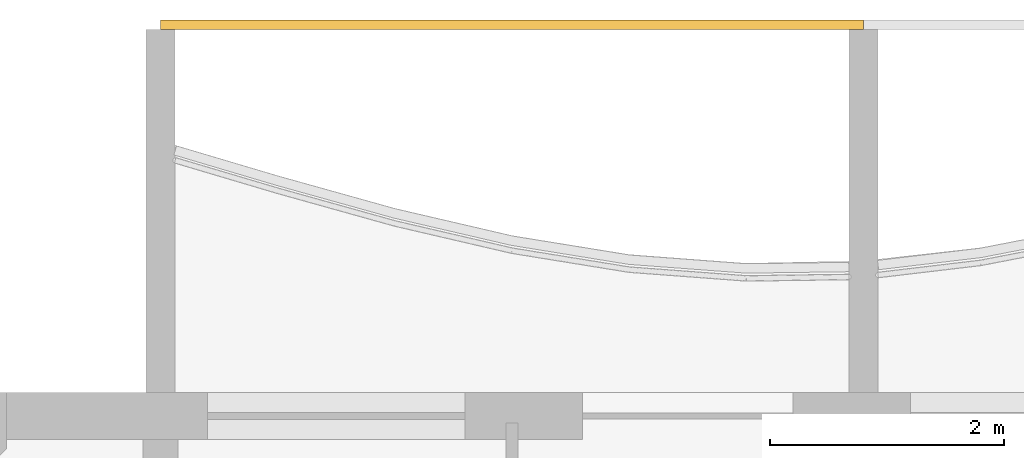
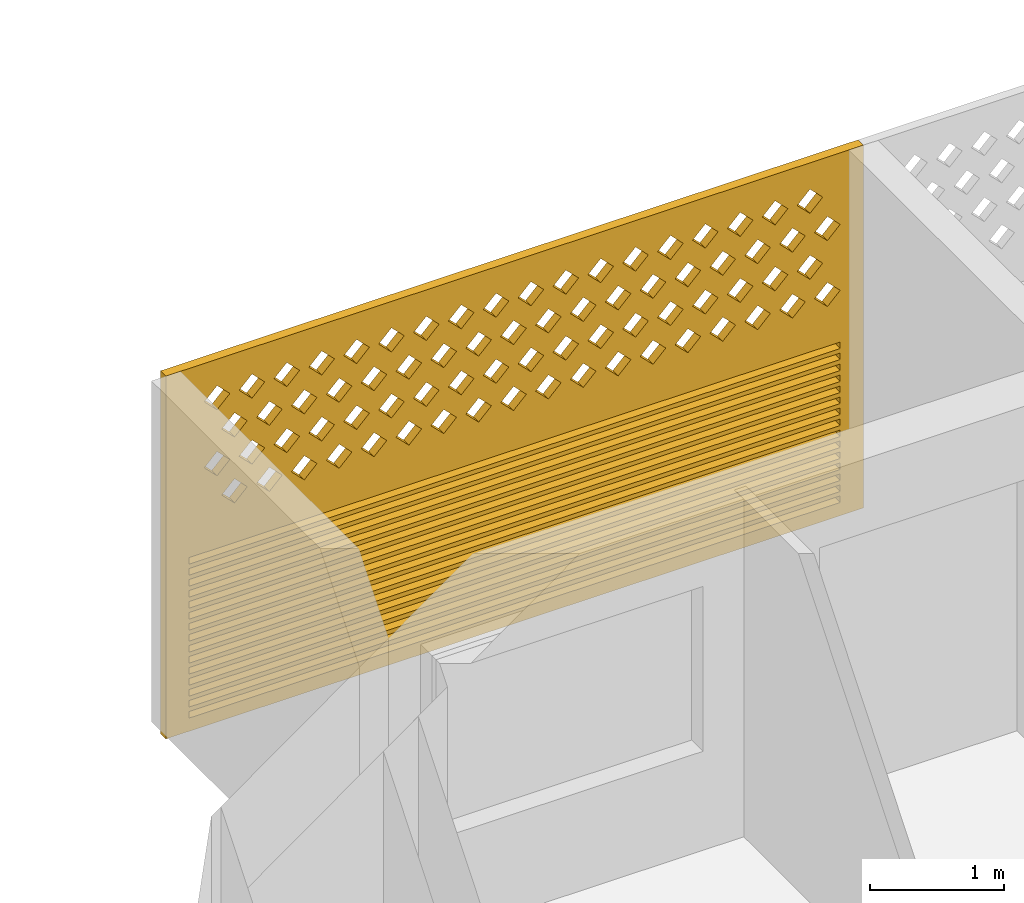
# One storey, part 17 of 31: 1 covering.
"""IFC4 building model written with IfcOpenShell, lengths in metres."""

from ifc_helpers import new_model, si_unit, direction, frame, origin, place, context, subcontext, project, spatial, polyline, outline, extrude, source, transform, mapped, material, material_profile, profile_set, type_object, element, save


model = new_model("IFC4")

# Units and contexts
model_context = context("Model", 3, precision=1e-05, world=origin(), true_north=direction((0.0, 1.0)))
body_context = subcontext(model_context, "Body", "Model", "MODEL_VIEW")
ifc_project = project(units=[si_unit("LENGTHUNIT", "METRE"), si_unit("AREAUNIT", "SQUARE_METRE"), si_unit("VOLUMEUNIT", "CUBIC_METRE"), si_unit("PLANEANGLEUNIT", "RADIAN"), si_unit("MASSUNIT", "GRAM", prefix="KILO")], contexts=[model_context])

# Site, building, storey
site_placement = place(None, origin())
site = spatial("IfcSite", under=ifc_project, at=site_placement, CompositionType="ELEMENT")
building_placement = place(site_placement, origin())
building = spatial("IfcBuilding", under=site, at=building_placement, Name="Poui Terraces", CompositionType="ELEMENT")
storey_placement = place(building_placement, frame((0.0, 0.0, 148.800048828125)))
storey = spatial("IfcBuildingStorey", under=building, at=storey_placement, Name="L41", CompositionType="ELEMENT", Elevation=148.800048828125)

# Covering
ifc_material = material(Name="Terracotta screen", Category="masonry")
ifc_material_profile = material_profile(ifc_material, outline(polyline([(-3.0, -1.64990234375), (3.0, -1.64990234375), (3.0, 1.64990234375), (-3.0, 1.64990234375), (-3.0, -1.64990234375)]), holes=[polyline([(-2.800048828125, 0.39990234375), (-2.68994140625, 0.2900390625), (-2.580078125, 0.39990234375), (-2.68994140625, 0.510009765625), (-2.800048828125, 0.39990234375)]), polyline([(-2.5, 0.39990234375), (-2.389892578125, 0.2900390625), (-2.280029296875, 0.39990234375), (-2.389892578125, 0.510009765625), (-2.5, 0.39990234375)]), polyline([(-2.199951171875, 0.39990234375), (-2.090087890625, 0.2900390625), (-1.97998046875, 0.39990234375), (-2.090087890625, 0.510009765625), (-2.199951171875, 0.39990234375)]), polyline([(-1.89990234375, 0.39990234375), (-1.7900390625, 0.2900390625), (-1.679931640625, 0.39990234375), (-1.7900390625, 0.510009765625), (-1.89990234375, 0.39990234375)]), polyline([(-1.60009765625, 0.39990234375), (-1.489990234375, 0.2900390625), (-1.3798828125, 0.39990234375), (-1.489990234375, 0.510009765625), (-1.60009765625, 0.39990234375)]), polyline([(-1.300048828125, 0.39990234375), (-1.18994140625, 0.2900390625), (-1.080078125, 0.39990234375), (-1.18994140625, 0.510009765625), (-1.300048828125, 0.39990234375)]), polyline([(-1.0, 0.39990234375), (-0.889892578125, 0.2900390625), (-0.780029296875, 0.39990234375), (-0.889892578125, 0.510009765625), (-1.0, 0.39990234375)]), polyline([(-0.699951171875, 0.39990234375), (-0.590087890625, 0.2900390625), (-0.47998046875, 0.39990234375), (-0.590087890625, 0.510009765625), (-0.699951171875, 0.39990234375)]), polyline([(-0.39990234375, 0.39990234375), (-0.2900390625, 0.2900390625), (-0.179931640625, 0.39990234375), (-0.2900390625, 0.510009765625), (-0.39990234375, 0.39990234375)]), polyline([(-0.10009765625, 0.39990234375), (0.010009765625, 0.2900390625), (0.1201171875, 0.39990234375), (0.010009765625, 0.510009765625), (-0.10009765625, 0.39990234375)]), polyline([(0.199951171875, 0.39990234375), (0.31005859375, 0.2900390625), (0.419921875, 0.39990234375), (0.31005859375, 0.510009765625), (0.199951171875, 0.39990234375)]), polyline([(0.5, 0.39990234375), (0.610107421875, 0.2900390625), (0.719970703125, 0.39990234375), (0.610107421875, 0.510009765625), (0.5, 0.39990234375)]), polyline([(0.800048828125, 0.39990234375), (0.909912109375, 0.2900390625), (1.02001953125, 0.39990234375), (0.909912109375, 0.510009765625), (0.800048828125, 0.39990234375)]), polyline([(1.10009765625, 0.39990234375), (1.2099609375, 0.2900390625), (1.320068359375, 0.39990234375), (1.2099609375, 0.510009765625), (1.10009765625, 0.39990234375)]), polyline([(1.39990234375, 0.39990234375), (1.510009765625, 0.2900390625), (1.6201171875, 0.39990234375), (1.510009765625, 0.510009765625), (1.39990234375, 0.39990234375)]), polyline([(1.699951171875, 0.39990234375), (1.81005859375, 0.2900390625), (1.919921875, 0.39990234375), (1.81005859375, 0.510009765625), (1.699951171875, 0.39990234375)]), polyline([(2.0, 0.39990234375), (2.110107421875, 0.2900390625), (2.219970703125, 0.39990234375), (2.110107421875, 0.510009765625), (2.0, 0.39990234375)]), polyline([(2.300048828125, 0.39990234375), (2.409912109375, 0.2900390625), (2.52001953125, 0.39990234375), (2.409912109375, 0.510009765625), (2.300048828125, 0.39990234375)]), polyline([(-2.64990234375, 0.699951171875), (-2.5400390625, 0.590087890625), (-2.429931640625, 0.699951171875), (-2.5400390625, 0.81005859375), (-2.64990234375, 0.699951171875)]), polyline([(-2.35009765625, 0.699951171875), (-2.239990234375, 0.590087890625), (-2.1298828125, 0.699951171875), (-2.239990234375, 0.81005859375), (-2.35009765625, 0.699951171875)]), polyline([(-2.050048828125, 0.699951171875), (-1.93994140625, 0.590087890625), (-1.830078125, 0.699951171875), (-1.93994140625, 0.81005859375), (-2.050048828125, 0.699951171875)]), polyline([(-1.75, 0.699951171875), (-1.639892578125, 0.590087890625), (-1.530029296875, 0.699951171875), (-1.639892578125, 0.81005859375), (-1.75, 0.699951171875)]), polyline([(-1.449951171875, 0.699951171875), (-1.340087890625, 0.590087890625), (-1.22998046875, 0.699951171875), (-1.340087890625, 0.81005859375), (-1.449951171875, 0.699951171875)]), polyline([(-1.14990234375, 0.699951171875), (-1.0400390625, 0.590087890625), (-0.929931640625, 0.699951171875), (-1.0400390625, 0.81005859375), (-1.14990234375, 0.699951171875)]), polyline([(-0.85009765625, 0.699951171875), (-0.739990234375, 0.590087890625), (-0.6298828125, 0.699951171875), (-0.739990234375, 0.81005859375), (-0.85009765625, 0.699951171875)]), polyline([(-0.550048828125, 0.699951171875), (-0.43994140625, 0.590087890625), (-0.330078125, 0.699951171875), (-0.43994140625, 0.81005859375), (-0.550048828125, 0.699951171875)]), polyline([(-0.25, 0.699951171875), (-0.139892578125, 0.590087890625), (-0.030029296875, 0.699951171875), (-0.139892578125, 0.81005859375), (-0.25, 0.699951171875)]), polyline([(0.050048828125, 0.699951171875), (0.159912109375, 0.590087890625), (0.27001953125, 0.699951171875), (0.159912109375, 0.81005859375), (0.050048828125, 0.699951171875)]), polyline([(0.35009765625, 0.699951171875), (0.4599609375, 0.590087890625), (0.570068359375, 0.699951171875), (0.4599609375, 0.81005859375), (0.35009765625, 0.699951171875)]), polyline([(0.64990234375, 0.699951171875), (0.760009765625, 0.590087890625), (0.8701171875, 0.699951171875), (0.760009765625, 0.81005859375), (0.64990234375, 0.699951171875)]), polyline([(0.949951171875, 0.699951171875), (1.06005859375, 0.590087890625), (1.169921875, 0.699951171875), (1.06005859375, 0.81005859375), (0.949951171875, 0.699951171875)]), polyline([(1.25, 0.699951171875), (1.360107421875, 0.590087890625), (1.469970703125, 0.699951171875), (1.360107421875, 0.81005859375), (1.25, 0.699951171875)]), polyline([(1.550048828125, 0.699951171875), (1.659912109375, 0.590087890625), (1.77001953125, 0.699951171875), (1.659912109375, 0.81005859375), (1.550048828125, 0.699951171875)]), polyline([(1.85009765625, 0.699951171875), (1.9599609375, 0.590087890625), (2.070068359375, 0.699951171875), (1.9599609375, 0.81005859375), (1.85009765625, 0.699951171875)]), polyline([(2.14990234375, 0.699951171875), (2.260009765625, 0.590087890625), (2.3701171875, 0.699951171875), (2.260009765625, 0.81005859375), (2.14990234375, 0.699951171875)]), polyline([(2.449951171875, 0.699951171875), (2.56005859375, 0.590087890625), (2.669921875, 0.699951171875), (2.56005859375, 0.81005859375), (2.449951171875, 0.699951171875)]), polyline([(-2.800048828125, 1.0), (-2.68994140625, 0.889892578125), (-2.580078125, 1.0), (-2.68994140625, 1.110107421875), (-2.800048828125, 1.0)]), polyline([(-2.5, 1.0), (-2.389892578125, 0.889892578125), (-2.280029296875, 1.0), (-2.389892578125, 1.110107421875), (-2.5, 1.0)]), polyline([(-2.199951171875, 1.0), (-2.090087890625, 0.889892578125), (-1.97998046875, 1.0), (-2.090087890625, 1.110107421875), (-2.199951171875, 1.0)]), polyline([(-1.89990234375, 1.0), (-1.7900390625, 0.889892578125), (-1.679931640625, 1.0), (-1.7900390625, 1.110107421875), (-1.89990234375, 1.0)]), polyline([(-1.60009765625, 1.0), (-1.489990234375, 0.889892578125), (-1.3798828125, 1.0), (-1.489990234375, 1.110107421875), (-1.60009765625, 1.0)]), polyline([(-1.300048828125, 1.0), (-1.18994140625, 0.889892578125), (-1.080078125, 1.0), (-1.18994140625, 1.110107421875), (-1.300048828125, 1.0)]), polyline([(-1.0, 1.0), (-0.889892578125, 0.889892578125), (-0.780029296875, 1.0), (-0.889892578125, 1.110107421875), (-1.0, 1.0)]), polyline([(-0.699951171875, 1.0), (-0.590087890625, 0.889892578125), (-0.47998046875, 1.0), (-0.590087890625, 1.110107421875), (-0.699951171875, 1.0)]), polyline([(-0.39990234375, 1.0), (-0.2900390625, 0.889892578125), (-0.179931640625, 1.0), (-0.2900390625, 1.110107421875), (-0.39990234375, 1.0)]), polyline([(-0.10009765625, 1.0), (0.010009765625, 0.889892578125), (0.1201171875, 1.0), (0.010009765625, 1.110107421875), (-0.10009765625, 1.0)]), polyline([(0.199951171875, 1.0), (0.31005859375, 0.889892578125), (0.419921875, 1.0), (0.31005859375, 1.110107421875), (0.199951171875, 1.0)]), polyline([(0.5, 1.0), (0.610107421875, 0.889892578125), (0.719970703125, 1.0), (0.610107421875, 1.110107421875), (0.5, 1.0)]), polyline([(0.800048828125, 1.0), (0.909912109375, 0.889892578125), (1.02001953125, 1.0), (0.909912109375, 1.110107421875), (0.800048828125, 1.0)]), polyline([(1.10009765625, 1.0), (1.2099609375, 0.889892578125), (1.320068359375, 1.0), (1.2099609375, 1.110107421875), (1.10009765625, 1.0)]), polyline([(1.39990234375, 1.0), (1.510009765625, 0.889892578125), (1.6201171875, 1.0), (1.510009765625, 1.110107421875), (1.39990234375, 1.0)]), polyline([(1.699951171875, 1.0), (1.81005859375, 0.889892578125), (1.919921875, 1.0), (1.81005859375, 1.110107421875), (1.699951171875, 1.0)]), polyline([(2.0, 1.0), (2.110107421875, 0.889892578125), (2.219970703125, 1.0), (2.110107421875, 1.110107421875), (2.0, 1.0)]), polyline([(2.300048828125, 1.0), (2.409912109375, 0.889892578125), (2.52001953125, 1.0), (2.409912109375, 1.110107421875), (2.300048828125, 1.0)]), polyline([(-2.64990234375, 1.300048828125), (-2.5400390625, 1.18994140625), (-2.429931640625, 1.300048828125), (-2.5400390625, 1.409912109375), (-2.64990234375, 1.300048828125)]), polyline([(-2.35009765625, 1.300048828125), (-2.239990234375, 1.18994140625), (-2.1298828125, 1.300048828125), (-2.239990234375, 1.409912109375), (-2.35009765625, 1.300048828125)]), polyline([(-2.050048828125, 1.300048828125), (-1.93994140625, 1.18994140625), (-1.830078125, 1.300048828125), (-1.93994140625, 1.409912109375), (-2.050048828125, 1.300048828125)]), polyline([(-1.75, 1.300048828125), (-1.639892578125, 1.18994140625), (-1.530029296875, 1.300048828125), (-1.639892578125, 1.409912109375), (-1.75, 1.300048828125)]), polyline([(-1.449951171875, 1.300048828125), (-1.340087890625, 1.18994140625), (-1.22998046875, 1.300048828125), (-1.340087890625, 1.409912109375), (-1.449951171875, 1.300048828125)]), polyline([(-1.14990234375, 1.300048828125), (-1.0400390625, 1.18994140625), (-0.929931640625, 1.300048828125), (-1.0400390625, 1.409912109375), (-1.14990234375, 1.300048828125)]), polyline([(-0.85009765625, 1.300048828125), (-0.739990234375, 1.18994140625), (-0.6298828125, 1.300048828125), (-0.739990234375, 1.409912109375), (-0.85009765625, 1.300048828125)]), polyline([(-0.550048828125, 1.300048828125), (-0.43994140625, 1.18994140625), (-0.330078125, 1.300048828125), (-0.43994140625, 1.409912109375), (-0.550048828125, 1.300048828125)]), polyline([(-0.25, 1.300048828125), (-0.139892578125, 1.18994140625), (-0.030029296875, 1.300048828125), (-0.139892578125, 1.409912109375), (-0.25, 1.300048828125)]), polyline([(0.050048828125, 1.300048828125), (0.159912109375, 1.18994140625), (0.27001953125, 1.300048828125), (0.159912109375, 1.409912109375), (0.050048828125, 1.300048828125)]), polyline([(0.35009765625, 1.300048828125), (0.4599609375, 1.18994140625), (0.570068359375, 1.300048828125), (0.4599609375, 1.409912109375), (0.35009765625, 1.300048828125)]), polyline([(0.64990234375, 1.300048828125), (0.760009765625, 1.18994140625), (0.8701171875, 1.300048828125), (0.760009765625, 1.409912109375), (0.64990234375, 1.300048828125)]), polyline([(0.949951171875, 1.300048828125), (1.06005859375, 1.18994140625), (1.169921875, 1.300048828125), (1.06005859375, 1.409912109375), (0.949951171875, 1.300048828125)]), polyline([(1.25, 1.300048828125), (1.360107421875, 1.18994140625), (1.469970703125, 1.300048828125), (1.360107421875, 1.409912109375), (1.25, 1.300048828125)]), polyline([(1.550048828125, 1.300048828125), (1.659912109375, 1.18994140625), (1.77001953125, 1.300048828125), (1.659912109375, 1.409912109375), (1.550048828125, 1.300048828125)]), polyline([(1.85009765625, 1.300048828125), (1.9599609375, 1.18994140625), (2.070068359375, 1.300048828125), (1.9599609375, 1.409912109375), (1.85009765625, 1.300048828125)]), polyline([(2.14990234375, 1.300048828125), (2.260009765625, 1.18994140625), (2.3701171875, 1.300048828125), (2.260009765625, 1.409912109375), (2.14990234375, 1.300048828125)]), polyline([(2.449951171875, 1.300048828125), (2.56005859375, 1.18994140625), (2.669921875, 1.300048828125), (2.56005859375, 1.409912109375), (2.449951171875, 1.300048828125)]), polyline([(-2.800048828125, -1.530029296875), (2.800048828125, -1.530029296875), (2.800048828125, -1.469970703125), (-2.800048828125, -1.469970703125), (-2.800048828125, -1.530029296875)]), polyline([(-2.800048828125, -1.429931640625), (2.800048828125, -1.429931640625), (2.800048828125, -1.3701171875), (-2.800048828125, -1.3701171875), (-2.800048828125, -1.429931640625)]), polyline([(-2.800048828125, -1.330078125), (2.800048828125, -1.330078125), (2.800048828125, -1.27001953125), (-2.800048828125, -1.27001953125), (-2.800048828125, -1.330078125)]), polyline([(-2.800048828125, -1.22998046875), (2.800048828125, -1.22998046875), (2.800048828125, -1.169921875), (-2.800048828125, -1.169921875), (-2.800048828125, -1.22998046875)]), polyline([(-2.800048828125, -1.1298828125), (2.800048828125, -1.1298828125), (2.800048828125, -1.070068359375), (-2.800048828125, -1.070068359375), (-2.800048828125, -1.1298828125)]), polyline([(-2.800048828125, -1.030029296875), (2.800048828125, -1.030029296875), (2.800048828125, -0.969970703125), (-2.800048828125, -0.969970703125), (-2.800048828125, -1.030029296875)]), polyline([(-2.800048828125, -0.929931640625), (2.800048828125, -0.929931640625), (2.800048828125, -0.8701171875), (-2.800048828125, -0.8701171875), (-2.800048828125, -0.929931640625)]), polyline([(-2.800048828125, -0.830078125), (2.800048828125, -0.830078125), (2.800048828125, -0.77001953125), (-2.800048828125, -0.77001953125), (-2.800048828125, -0.830078125)]), polyline([(-2.800048828125, -0.72998046875), (2.800048828125, -0.72998046875), (2.800048828125, -0.669921875), (-2.800048828125, -0.669921875), (-2.800048828125, -0.72998046875)]), polyline([(-2.800048828125, -0.6298828125), (2.800048828125, -0.6298828125), (2.800048828125, -0.570068359375), (-2.800048828125, -0.570068359375), (-2.800048828125, -0.6298828125)]), polyline([(-2.800048828125, -0.530029296875), (2.800048828125, -0.530029296875), (2.800048828125, -0.469970703125), (-2.800048828125, -0.469970703125), (-2.800048828125, -0.530029296875)]), polyline([(-2.800048828125, -0.429931640625), (2.800048828125, -0.429931640625), (2.800048828125, -0.3701171875), (-2.800048828125, -0.3701171875), (-2.800048828125, -0.429931640625)]), polyline([(-2.800048828125, -0.330078125), (2.800048828125, -0.330078125), (2.800048828125, -0.27001953125), (-2.800048828125, -0.27001953125), (-2.800048828125, -0.330078125)]), polyline([(-2.800048828125, -0.22998046875), (2.800048828125, -0.22998046875), (2.800048828125, -0.169921875), (-2.800048828125, -0.169921875), (-2.800048828125, -0.22998046875)]), polyline([(-2.800048828125, -0.1298828125), (2.800048828125, -0.1298828125), (2.800048828125, -0.070068359375), (-2.800048828125, -0.070068359375), (-2.800048828125, -0.1298828125)])]), Name="TERRACOTTA SCREEN AND JALOUSIE LOUVRE 6000X3300")
ifc_profile_set = profile_set([ifc_material_profile], Name="Terracotta screen")
covering_type = type_object("IfcCoveringType", Name="TERRACOTTA SCREEN AND JALOUSIE LOUVRE 6000X3300", PredefinedType="CLADDING", material=ifc_profile_set)
shared_shape = source(origin(), body_context, "Body", "SweptSolid", [
    extrude(outline(polyline([(-3.0, -1.64990234375), (3.0, -1.64990234375), (3.0, 1.64990234375), (-3.0, 1.64990234375), (-3.0, -1.64990234375)]), holes=[polyline([(-2.800048828125, 0.39990234375), (-2.68994140625, 0.2900390625), (-2.580078125, 0.39990234375), (-2.68994140625, 0.510009765625), (-2.800048828125, 0.39990234375)]), polyline([(-2.5, 0.39990234375), (-2.389892578125, 0.2900390625), (-2.280029296875, 0.39990234375), (-2.389892578125, 0.510009765625), (-2.5, 0.39990234375)]), polyline([(-2.199951171875, 0.39990234375), (-2.090087890625, 0.2900390625), (-1.97998046875, 0.39990234375), (-2.090087890625, 0.510009765625), (-2.199951171875, 0.39990234375)]), polyline([(-1.89990234375, 0.39990234375), (-1.7900390625, 0.2900390625), (-1.679931640625, 0.39990234375), (-1.7900390625, 0.510009765625), (-1.89990234375, 0.39990234375)]), polyline([(-1.60009765625, 0.39990234375), (-1.489990234375, 0.2900390625), (-1.3798828125, 0.39990234375), (-1.489990234375, 0.510009765625), (-1.60009765625, 0.39990234375)]), polyline([(-1.300048828125, 0.39990234375), (-1.18994140625, 0.2900390625), (-1.080078125, 0.39990234375), (-1.18994140625, 0.510009765625), (-1.300048828125, 0.39990234375)]), polyline([(-1.0, 0.39990234375), (-0.889892578125, 0.2900390625), (-0.780029296875, 0.39990234375), (-0.889892578125, 0.510009765625), (-1.0, 0.39990234375)]), polyline([(-0.699951171875, 0.39990234375), (-0.590087890625, 0.2900390625), (-0.47998046875, 0.39990234375), (-0.590087890625, 0.510009765625), (-0.699951171875, 0.39990234375)]), polyline([(-0.39990234375, 0.39990234375), (-0.2900390625, 0.2900390625), (-0.179931640625, 0.39990234375), (-0.2900390625, 0.510009765625), (-0.39990234375, 0.39990234375)]), polyline([(-0.10009765625, 0.39990234375), (0.010009765625, 0.2900390625), (0.1201171875, 0.39990234375), (0.010009765625, 0.510009765625), (-0.10009765625, 0.39990234375)]), polyline([(0.199951171875, 0.39990234375), (0.31005859375, 0.2900390625), (0.419921875, 0.39990234375), (0.31005859375, 0.510009765625), (0.199951171875, 0.39990234375)]), polyline([(0.5, 0.39990234375), (0.610107421875, 0.2900390625), (0.719970703125, 0.39990234375), (0.610107421875, 0.510009765625), (0.5, 0.39990234375)]), polyline([(0.800048828125, 0.39990234375), (0.909912109375, 0.2900390625), (1.02001953125, 0.39990234375), (0.909912109375, 0.510009765625), (0.800048828125, 0.39990234375)]), polyline([(1.10009765625, 0.39990234375), (1.2099609375, 0.2900390625), (1.320068359375, 0.39990234375), (1.2099609375, 0.510009765625), (1.10009765625, 0.39990234375)]), polyline([(1.39990234375, 0.39990234375), (1.510009765625, 0.2900390625), (1.6201171875, 0.39990234375), (1.510009765625, 0.510009765625), (1.39990234375, 0.39990234375)]), polyline([(1.699951171875, 0.39990234375), (1.81005859375, 0.2900390625), (1.919921875, 0.39990234375), (1.81005859375, 0.510009765625), (1.699951171875, 0.39990234375)]), polyline([(2.0, 0.39990234375), (2.110107421875, 0.2900390625), (2.219970703125, 0.39990234375), (2.110107421875, 0.510009765625), (2.0, 0.39990234375)]), polyline([(2.300048828125, 0.39990234375), (2.409912109375, 0.2900390625), (2.52001953125, 0.39990234375), (2.409912109375, 0.510009765625), (2.300048828125, 0.39990234375)]), polyline([(-2.64990234375, 0.699951171875), (-2.5400390625, 0.590087890625), (-2.429931640625, 0.699951171875), (-2.5400390625, 0.81005859375), (-2.64990234375, 0.699951171875)]), polyline([(-2.35009765625, 0.699951171875), (-2.239990234375, 0.590087890625), (-2.1298828125, 0.699951171875), (-2.239990234375, 0.81005859375), (-2.35009765625, 0.699951171875)]), polyline([(-2.050048828125, 0.699951171875), (-1.93994140625, 0.590087890625), (-1.830078125, 0.699951171875), (-1.93994140625, 0.81005859375), (-2.050048828125, 0.699951171875)]), polyline([(-1.75, 0.699951171875), (-1.639892578125, 0.590087890625), (-1.530029296875, 0.699951171875), (-1.639892578125, 0.81005859375), (-1.75, 0.699951171875)]), polyline([(-1.449951171875, 0.699951171875), (-1.340087890625, 0.590087890625), (-1.22998046875, 0.699951171875), (-1.340087890625, 0.81005859375), (-1.449951171875, 0.699951171875)]), polyline([(-1.14990234375, 0.699951171875), (-1.0400390625, 0.590087890625), (-0.929931640625, 0.699951171875), (-1.0400390625, 0.81005859375), (-1.14990234375, 0.699951171875)]), polyline([(-0.85009765625, 0.699951171875), (-0.739990234375, 0.590087890625), (-0.6298828125, 0.699951171875), (-0.739990234375, 0.81005859375), (-0.85009765625, 0.699951171875)]), polyline([(-0.550048828125, 0.699951171875), (-0.43994140625, 0.590087890625), (-0.330078125, 0.699951171875), (-0.43994140625, 0.81005859375), (-0.550048828125, 0.699951171875)]), polyline([(-0.25, 0.699951171875), (-0.139892578125, 0.590087890625), (-0.030029296875, 0.699951171875), (-0.139892578125, 0.81005859375), (-0.25, 0.699951171875)]), polyline([(0.050048828125, 0.699951171875), (0.159912109375, 0.590087890625), (0.27001953125, 0.699951171875), (0.159912109375, 0.81005859375), (0.050048828125, 0.699951171875)]), polyline([(0.35009765625, 0.699951171875), (0.4599609375, 0.590087890625), (0.570068359375, 0.699951171875), (0.4599609375, 0.81005859375), (0.35009765625, 0.699951171875)]), polyline([(0.64990234375, 0.699951171875), (0.760009765625, 0.590087890625), (0.8701171875, 0.699951171875), (0.760009765625, 0.81005859375), (0.64990234375, 0.699951171875)]), polyline([(0.949951171875, 0.699951171875), (1.06005859375, 0.590087890625), (1.169921875, 0.699951171875), (1.06005859375, 0.81005859375), (0.949951171875, 0.699951171875)]), polyline([(1.25, 0.699951171875), (1.360107421875, 0.590087890625), (1.469970703125, 0.699951171875), (1.360107421875, 0.81005859375), (1.25, 0.699951171875)]), polyline([(1.550048828125, 0.699951171875), (1.659912109375, 0.590087890625), (1.77001953125, 0.699951171875), (1.659912109375, 0.81005859375), (1.550048828125, 0.699951171875)]), polyline([(1.85009765625, 0.699951171875), (1.9599609375, 0.590087890625), (2.070068359375, 0.699951171875), (1.9599609375, 0.81005859375), (1.85009765625, 0.699951171875)]), polyline([(2.14990234375, 0.699951171875), (2.260009765625, 0.590087890625), (2.3701171875, 0.699951171875), (2.260009765625, 0.81005859375), (2.14990234375, 0.699951171875)]), polyline([(2.449951171875, 0.699951171875), (2.56005859375, 0.590087890625), (2.669921875, 0.699951171875), (2.56005859375, 0.81005859375), (2.449951171875, 0.699951171875)]), polyline([(-2.800048828125, 1.0), (-2.68994140625, 0.889892578125), (-2.580078125, 1.0), (-2.68994140625, 1.110107421875), (-2.800048828125, 1.0)]), polyline([(-2.5, 1.0), (-2.389892578125, 0.889892578125), (-2.280029296875, 1.0), (-2.389892578125, 1.110107421875), (-2.5, 1.0)]), polyline([(-2.199951171875, 1.0), (-2.090087890625, 0.889892578125), (-1.97998046875, 1.0), (-2.090087890625, 1.110107421875), (-2.199951171875, 1.0)]), polyline([(-1.89990234375, 1.0), (-1.7900390625, 0.889892578125), (-1.679931640625, 1.0), (-1.7900390625, 1.110107421875), (-1.89990234375, 1.0)]), polyline([(-1.60009765625, 1.0), (-1.489990234375, 0.889892578125), (-1.3798828125, 1.0), (-1.489990234375, 1.110107421875), (-1.60009765625, 1.0)]), polyline([(-1.300048828125, 1.0), (-1.18994140625, 0.889892578125), (-1.080078125, 1.0), (-1.18994140625, 1.110107421875), (-1.300048828125, 1.0)]), polyline([(-1.0, 1.0), (-0.889892578125, 0.889892578125), (-0.780029296875, 1.0), (-0.889892578125, 1.110107421875), (-1.0, 1.0)]), polyline([(-0.699951171875, 1.0), (-0.590087890625, 0.889892578125), (-0.47998046875, 1.0), (-0.590087890625, 1.110107421875), (-0.699951171875, 1.0)]), polyline([(-0.39990234375, 1.0), (-0.2900390625, 0.889892578125), (-0.179931640625, 1.0), (-0.2900390625, 1.110107421875), (-0.39990234375, 1.0)]), polyline([(-0.10009765625, 1.0), (0.010009765625, 0.889892578125), (0.1201171875, 1.0), (0.010009765625, 1.110107421875), (-0.10009765625, 1.0)]), polyline([(0.199951171875, 1.0), (0.31005859375, 0.889892578125), (0.419921875, 1.0), (0.31005859375, 1.110107421875), (0.199951171875, 1.0)]), polyline([(0.5, 1.0), (0.610107421875, 0.889892578125), (0.719970703125, 1.0), (0.610107421875, 1.110107421875), (0.5, 1.0)]), polyline([(0.800048828125, 1.0), (0.909912109375, 0.889892578125), (1.02001953125, 1.0), (0.909912109375, 1.110107421875), (0.800048828125, 1.0)]), polyline([(1.10009765625, 1.0), (1.2099609375, 0.889892578125), (1.320068359375, 1.0), (1.2099609375, 1.110107421875), (1.10009765625, 1.0)]), polyline([(1.39990234375, 1.0), (1.510009765625, 0.889892578125), (1.6201171875, 1.0), (1.510009765625, 1.110107421875), (1.39990234375, 1.0)]), polyline([(1.699951171875, 1.0), (1.81005859375, 0.889892578125), (1.919921875, 1.0), (1.81005859375, 1.110107421875), (1.699951171875, 1.0)]), polyline([(2.0, 1.0), (2.110107421875, 0.889892578125), (2.219970703125, 1.0), (2.110107421875, 1.110107421875), (2.0, 1.0)]), polyline([(2.300048828125, 1.0), (2.409912109375, 0.889892578125), (2.52001953125, 1.0), (2.409912109375, 1.110107421875), (2.300048828125, 1.0)]), polyline([(-2.64990234375, 1.300048828125), (-2.5400390625, 1.18994140625), (-2.429931640625, 1.300048828125), (-2.5400390625, 1.409912109375), (-2.64990234375, 1.300048828125)]), polyline([(-2.35009765625, 1.300048828125), (-2.239990234375, 1.18994140625), (-2.1298828125, 1.300048828125), (-2.239990234375, 1.409912109375), (-2.35009765625, 1.300048828125)]), polyline([(-2.050048828125, 1.300048828125), (-1.93994140625, 1.18994140625), (-1.830078125, 1.300048828125), (-1.93994140625, 1.409912109375), (-2.050048828125, 1.300048828125)]), polyline([(-1.75, 1.300048828125), (-1.639892578125, 1.18994140625), (-1.530029296875, 1.300048828125), (-1.639892578125, 1.409912109375), (-1.75, 1.300048828125)]), polyline([(-1.449951171875, 1.300048828125), (-1.340087890625, 1.18994140625), (-1.22998046875, 1.300048828125), (-1.340087890625, 1.409912109375), (-1.449951171875, 1.300048828125)]), polyline([(-1.14990234375, 1.300048828125), (-1.0400390625, 1.18994140625), (-0.929931640625, 1.300048828125), (-1.0400390625, 1.409912109375), (-1.14990234375, 1.300048828125)]), polyline([(-0.85009765625, 1.300048828125), (-0.739990234375, 1.18994140625), (-0.6298828125, 1.300048828125), (-0.739990234375, 1.409912109375), (-0.85009765625, 1.300048828125)]), polyline([(-0.550048828125, 1.300048828125), (-0.43994140625, 1.18994140625), (-0.330078125, 1.300048828125), (-0.43994140625, 1.409912109375), (-0.550048828125, 1.300048828125)]), polyline([(-0.25, 1.300048828125), (-0.139892578125, 1.18994140625), (-0.030029296875, 1.300048828125), (-0.139892578125, 1.409912109375), (-0.25, 1.300048828125)]), polyline([(0.050048828125, 1.300048828125), (0.159912109375, 1.18994140625), (0.27001953125, 1.300048828125), (0.159912109375, 1.409912109375), (0.050048828125, 1.300048828125)]), polyline([(0.35009765625, 1.300048828125), (0.4599609375, 1.18994140625), (0.570068359375, 1.300048828125), (0.4599609375, 1.409912109375), (0.35009765625, 1.300048828125)]), polyline([(0.64990234375, 1.300048828125), (0.760009765625, 1.18994140625), (0.8701171875, 1.300048828125), (0.760009765625, 1.409912109375), (0.64990234375, 1.300048828125)]), polyline([(0.949951171875, 1.300048828125), (1.06005859375, 1.18994140625), (1.169921875, 1.300048828125), (1.06005859375, 1.409912109375), (0.949951171875, 1.300048828125)]), polyline([(1.25, 1.300048828125), (1.360107421875, 1.18994140625), (1.469970703125, 1.300048828125), (1.360107421875, 1.409912109375), (1.25, 1.300048828125)]), polyline([(1.550048828125, 1.300048828125), (1.659912109375, 1.18994140625), (1.77001953125, 1.300048828125), (1.659912109375, 1.409912109375), (1.550048828125, 1.300048828125)]), polyline([(1.85009765625, 1.300048828125), (1.9599609375, 1.18994140625), (2.070068359375, 1.300048828125), (1.9599609375, 1.409912109375), (1.85009765625, 1.300048828125)]), polyline([(2.14990234375, 1.300048828125), (2.260009765625, 1.18994140625), (2.3701171875, 1.300048828125), (2.260009765625, 1.409912109375), (2.14990234375, 1.300048828125)]), polyline([(2.449951171875, 1.300048828125), (2.56005859375, 1.18994140625), (2.669921875, 1.300048828125), (2.56005859375, 1.409912109375), (2.449951171875, 1.300048828125)]), polyline([(-2.800048828125, -1.530029296875), (2.800048828125, -1.530029296875), (2.800048828125, -1.469970703125), (-2.800048828125, -1.469970703125), (-2.800048828125, -1.530029296875)]), polyline([(-2.800048828125, -1.429931640625), (2.800048828125, -1.429931640625), (2.800048828125, -1.3701171875), (-2.800048828125, -1.3701171875), (-2.800048828125, -1.429931640625)]), polyline([(-2.800048828125, -1.330078125), (2.800048828125, -1.330078125), (2.800048828125, -1.27001953125), (-2.800048828125, -1.27001953125), (-2.800048828125, -1.330078125)]), polyline([(-2.800048828125, -1.22998046875), (2.800048828125, -1.22998046875), (2.800048828125, -1.169921875), (-2.800048828125, -1.169921875), (-2.800048828125, -1.22998046875)]), polyline([(-2.800048828125, -1.1298828125), (2.800048828125, -1.1298828125), (2.800048828125, -1.070068359375), (-2.800048828125, -1.070068359375), (-2.800048828125, -1.1298828125)]), polyline([(-2.800048828125, -1.030029296875), (2.800048828125, -1.030029296875), (2.800048828125, -0.969970703125), (-2.800048828125, -0.969970703125), (-2.800048828125, -1.030029296875)]), polyline([(-2.800048828125, -0.929931640625), (2.800048828125, -0.929931640625), (2.800048828125, -0.8701171875), (-2.800048828125, -0.8701171875), (-2.800048828125, -0.929931640625)]), polyline([(-2.800048828125, -0.830078125), (2.800048828125, -0.830078125), (2.800048828125, -0.77001953125), (-2.800048828125, -0.77001953125), (-2.800048828125, -0.830078125)]), polyline([(-2.800048828125, -0.72998046875), (2.800048828125, -0.72998046875), (2.800048828125, -0.669921875), (-2.800048828125, -0.669921875), (-2.800048828125, -0.72998046875)]), polyline([(-2.800048828125, -0.6298828125), (2.800048828125, -0.6298828125), (2.800048828125, -0.570068359375), (-2.800048828125, -0.570068359375), (-2.800048828125, -0.6298828125)]), polyline([(-2.800048828125, -0.530029296875), (2.800048828125, -0.530029296875), (2.800048828125, -0.469970703125), (-2.800048828125, -0.469970703125), (-2.800048828125, -0.530029296875)]), polyline([(-2.800048828125, -0.429931640625), (2.800048828125, -0.429931640625), (2.800048828125, -0.3701171875), (-2.800048828125, -0.3701171875), (-2.800048828125, -0.429931640625)]), polyline([(-2.800048828125, -0.330078125), (2.800048828125, -0.330078125), (2.800048828125, -0.27001953125), (-2.800048828125, -0.27001953125), (-2.800048828125, -0.330078125)]), polyline([(-2.800048828125, -0.22998046875), (2.800048828125, -0.22998046875), (2.800048828125, -0.169921875), (-2.800048828125, -0.169921875), (-2.800048828125, -0.22998046875)]), polyline([(-2.800048828125, -0.1298828125), (2.800048828125, -0.1298828125), (2.800048828125, -0.070068359375), (-2.800048828125, -0.070068359375), (-2.800048828125, -0.1298828125)])]), origin(), (0.0, 0.0, 1.0), 0.080078125),
])
covering_placement = place(storey_placement, frame((21.0, 45.699951171875, 1.449951171875), z_axis=(0.0, 1.0, 0.0), x_axis=(-1.0, 0.0, 0.0)))
element("IfcCovering", 1, at=covering_placement, inside=storey, type_object=covering_type, Name="SOLAR SCREEN AND JALOUSIE LOUVRE", PredefinedType="CLADDING", context=body_context, shape_type="MappedRepresentation", body=[
    mapped(shared_shape, transform((0.0, 0.0, 0.0))),
])

save(model, "model.ifc")
